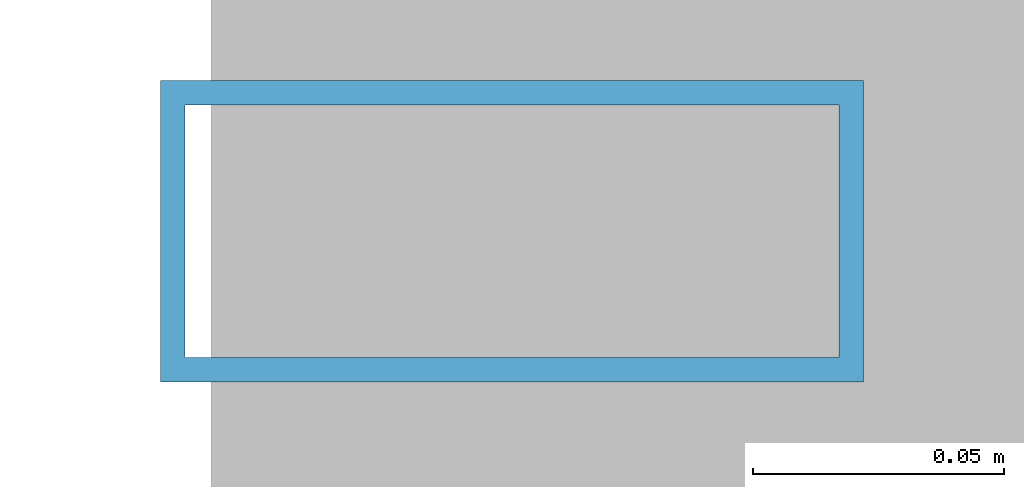
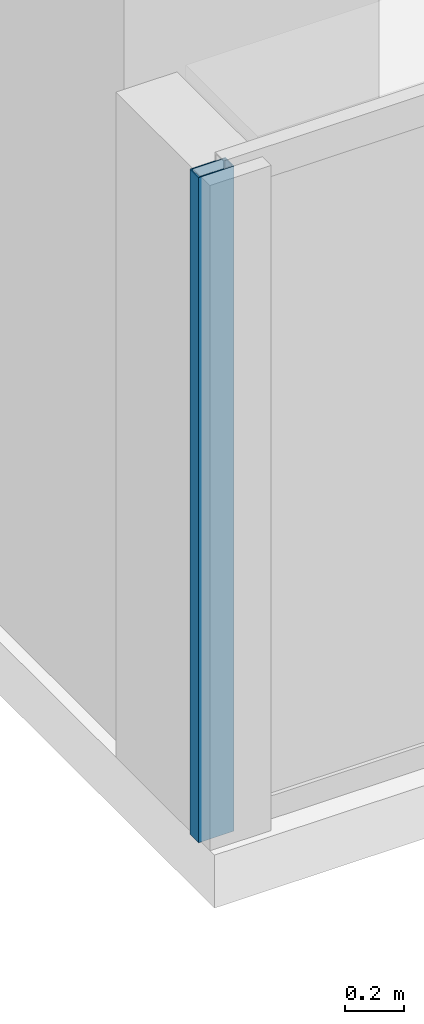
# One storey, part 6 of 29: 1 member, 1 element without a shape of its own.
"""IFC4 building model written with IfcOpenShell, lengths in metres."""

from ifc_helpers import new_model, si_unit, direction, frame, origin, origin_2d, place, context, subcontext, project, spatial, hollow_rectangle, extrude, source, transform, mapped, material, layer, layer_set, material_profile, profile_set, type_object, element, aggregate, save


model = new_model("IFC4")

# Units and contexts
model_context = context("Model", 3, precision=1e-05, world=origin(), true_north=direction((0.0, 1.0)))
body_context = subcontext(model_context, "Body", "Model", "MODEL_VIEW")
ifc_project = project(units=[si_unit("LENGTHUNIT", "METRE"), si_unit("AREAUNIT", "SQUARE_METRE"), si_unit("VOLUMEUNIT", "CUBIC_METRE"), si_unit("PLANEANGLEUNIT", "RADIAN"), si_unit("MASSUNIT", "GRAM", prefix="KILO")], contexts=[model_context])

# Site, building, storey
site_placement = place(None, origin())
site = spatial("IfcSite", under=ifc_project, at=site_placement, CompositionType="ELEMENT")
building_placement = place(site_placement, origin())
building = spatial("IfcBuilding", under=site, at=building_placement, Name="Sumidabori Civic Tower", CompositionType="ELEMENT")
storey_placement = place(building_placement, frame((0.0, 0.0, 218.0)))
storey = spatial("IfcBuildingStorey", under=building, at=storey_placement, Name="L56", CompositionType="ELEMENT", Elevation=218.0)

# Curtain wall, member
ifc_material = material(Name="Anodised Bronze Aluminium AW-6063-T6", Category="aluminium")
ifc_layer = layer(ifc_material, 0.179931640625, Name="Anodised Bronze Aluminium AW-6063-T6")
ifc_layer_set = layer_set([ifc_layer], Name="Anodised Bronze Aluminium AW-6063-T6")
curtain_wall_type = type_object("IfcCurtainWallType", Name="CW-SYS-5", PredefinedType="NOTDEFINED", material=ifc_layer_set)
curtain_wall_placement = place(storey_placement, origin())
curtain_wall = element("IfcCurtainWall", 1, at=curtain_wall_placement, inside=storey, type_object=curtain_wall_type, Name="Curtain Wall CW:L56:R09", PredefinedType="NOTDEFINED")
ifc_material_profile = material_profile(ifc_material, hollow_rectangle(XDim=0.06005859375, YDim=0.139892578125, WallThickness=0.0048828125, at=origin_2d()), Name="ALU MULLION 140x60")
ifc_profile_set = profile_set([ifc_material_profile], Name="Anodised Bronze Aluminium AW-6063-T6")
member_type = type_object("IfcMemberType", Name="CW-MUL-140", PredefinedType="MULLION", material=ifc_profile_set)
shared_shape = source(origin(), body_context, "Body", "SweptSolid", [
    extrude(hollow_rectangle(XDim=0.06005859375, YDim=0.139892578125, WallThickness=0.0048828125, at=origin_2d()), origin(), (0.0, 0.0, 1.0), 2.760009765625),
])
member_placement = place(storey_placement, frame((7.909912109375, -11.8798828125, 0.0), z_axis=(0.0, 0.0, 1.0), x_axis=(0.0, 1.0, 0.0)))
member = element("IfcMember", 2, at=member_placement, type_object=member_type, Name="CW-5 mullion 1", PredefinedType="MULLION", context=body_context, shape_type="MappedRepresentation", body=[
    mapped(shared_shape, transform((0.0, 0.0, 0.0), x_axis=(1.0, 0.0, 0.0), y_axis=(0.0, 1.0, 0.0), z_axis=(0.0, 0.0, 1.0), scale=1.0)),
])
aggregate(curtain_wall, [member])

save(model, "model.ifc")
